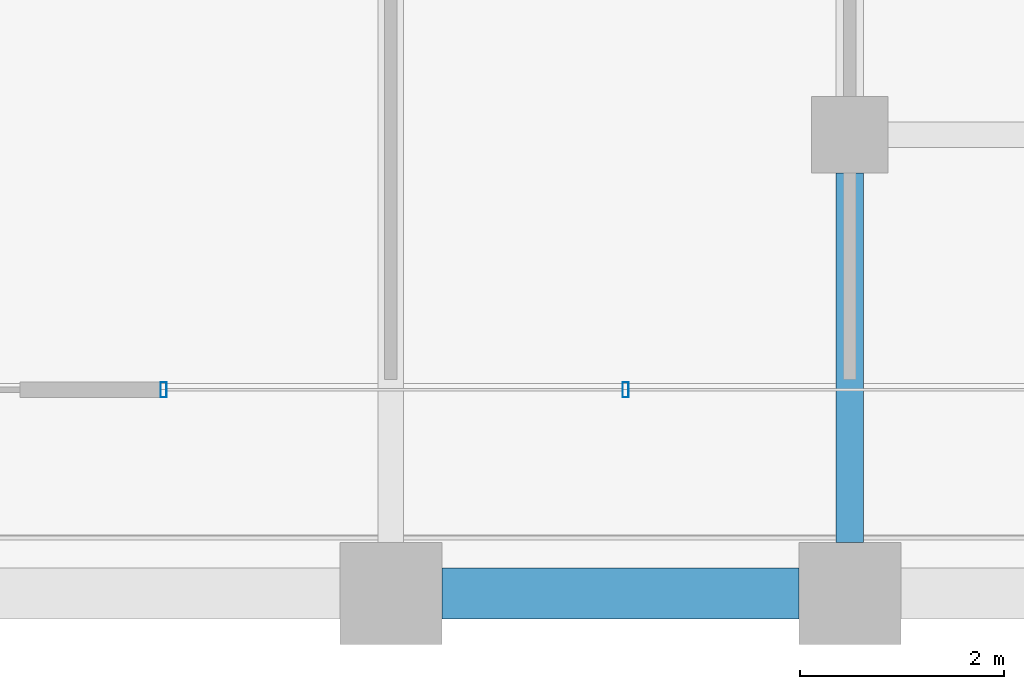
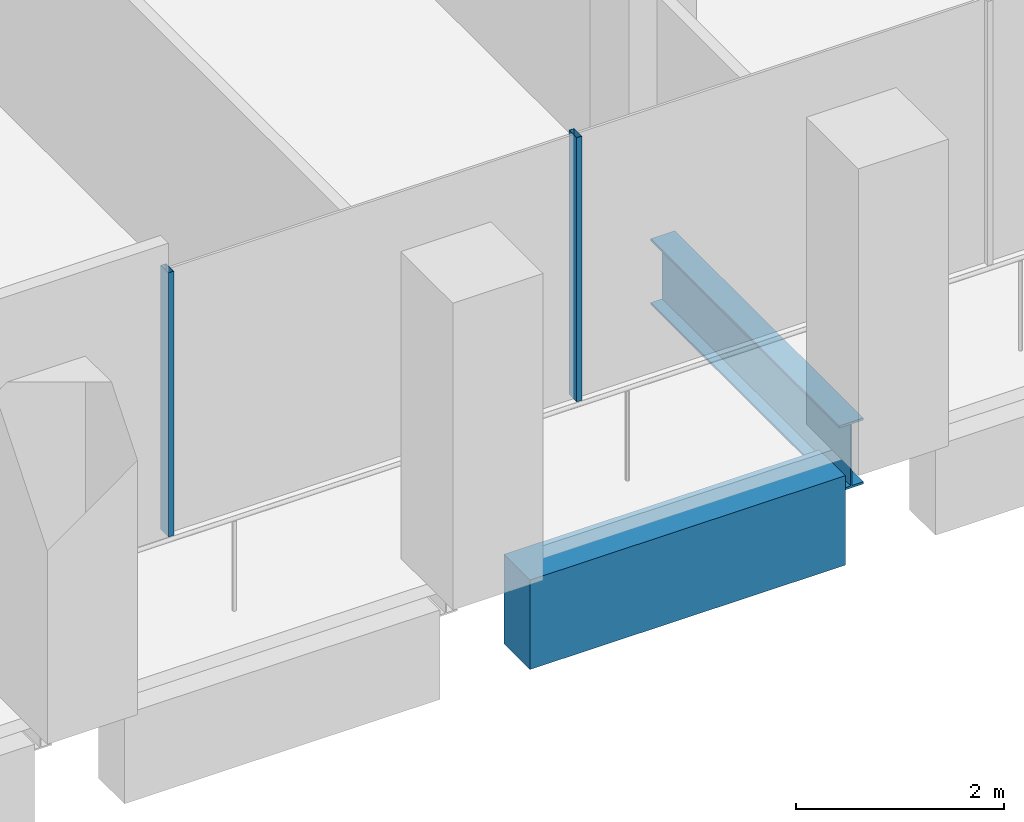
# One storey, part 9 of 46: 2 beams, 2 members, 1 element without a shape of its own.
"""IFC4 building model written with IfcOpenShell, lengths in metres."""

from ifc_helpers import new_model, si_unit, direction, frame, origin, origin_2d, place, context, subcontext, project, spatial, rectangle, hollow_rectangle, i_section, extrude, material, material_profile, profile_set, type_object, element, aggregate, save


model = new_model("IFC4")

# Units and contexts
model_context = context("Model", 3, precision=1e-05, world=origin(), true_north=direction((0.0, 1.0)))
body_context = subcontext(model_context, "Body", "Model", "MODEL_VIEW")
ifc_project = project(units=[si_unit("LENGTHUNIT", "METRE"), si_unit("AREAUNIT", "SQUARE_METRE"), si_unit("VOLUMEUNIT", "CUBIC_METRE"), si_unit("PLANEANGLEUNIT", "RADIAN"), si_unit("MASSUNIT", "GRAM", prefix="KILO")], contexts=[model_context])

# Site, building, storey
site_placement = place(None, origin())
site = spatial("IfcSite", under=ifc_project, at=site_placement, CompositionType="ELEMENT")
building_placement = place(site_placement, origin())
building = spatial("IfcBuilding", under=site, at=building_placement, Name="Altepetl Exchange Towers", CompositionType="ELEMENT")
storey_placement = place(building_placement, frame((0.0, 0.0, 102.800048828125)))
storey = spatial("IfcBuildingStorey", under=building, at=storey_placement, Name="L25", CompositionType="ELEMENT", Elevation=102.800048828125)

# Beam
ifc_material_1 = material(Name="Steel S355", Category="steel")
ifc_material_profile_1 = material_profile(ifc_material_1, i_section(OverallWidth=0.26806640625, OverallDepth=0.77392578125, WebThickness=0.015380859375, FlangeThickness=0.025390625, at=origin_2d()), Name="W30X132")
ifc_profile_set_1 = profile_set([ifc_material_profile_1], Name="Steel S355")
beam_type_1 = type_object("IfcBeamType", Name="Girder W30X132", PredefinedType="BEAM", material=ifc_profile_set_1)
beam_1_placement = place(storey_placement, frame((58.5, 31.125, -0.537109375), z_axis=(0.0, -1.0, 0.0), x_axis=(1.0, 0.0, 0.0)))
element("IfcBeam", 1, at=beam_1_placement, inside=storey, type_object=beam_type_1, Name="gd:A:L25:005", PredefinedType="BEAM", context=body_context, shape_type="SweptSolid", body=[
    extrude(i_section(OverallWidth=0.26806640625, OverallDepth=0.77392578125, WebThickness=0.015380859375, FlangeThickness=0.025390625, at=origin_2d()), origin(), (0.0, 0.0, 1.0), 3.625),
])

# Curtain wall, members
ifc_material_2 = material(Name="Aluminium 6063-T6 glazing", Category="aluminium")
curtain_wall_type = type_object("IfcCurtainWallType", Name="Loggia glazing system", PredefinedType="NOTDEFINED", material=ifc_material_2)
curtain_wall_placement = place(storey_placement, origin())
curtain_wall = element("IfcCurtainWall", 2, at=curtain_wall_placement, inside=storey, type_object=curtain_wall_type, Name="CW1 run", PredefinedType="NOTDEFINED")
ifc_material_3 = material(Name="Aluminium 6063-T6", Category="aluminium")
ifc_material_profile_2 = material_profile(ifc_material_3, hollow_rectangle(XDim=0.06005859375, YDim=0.14990234375, WallThickness=0.0029296875, at=origin_2d()), Name="Mullion 60x150 aluminium")
ifc_profile_set_2 = profile_set([ifc_material_profile_2], Name="Aluminium 6063-T6")
member_type = type_object("IfcMemberType", Name="Mullion 60x150 aluminium", PredefinedType="MULLION", material=ifc_profile_set_2)
member_1_placement = place(storey_placement, frame((51.77294921875, 29.0, 0.0)))
member_1 = element("IfcMember", 3, at=member_1_placement, type_object=member_type, Name="MU1 mullion", PredefinedType="MULLION", context=body_context, shape_type="SweptSolid", body=[
    extrude(hollow_rectangle(XDim=0.06005859375, YDim=0.14990234375, WallThickness=0.0029296875, at=origin_2d()), origin(), (0.0, 0.0, 1.0), 3.099853515625),
])
member_2_placement = place(storey_placement, frame((56.303466796875, 29.0, 0.0)))
member_2 = element("IfcMember", 4, at=member_2_placement, type_object=member_type, Name="MU1 mullion", PredefinedType="MULLION", context=body_context, shape_type="SweptSolid", body=[
    extrude(hollow_rectangle(XDim=0.06005859375, YDim=0.14990234375, WallThickness=0.0029296875, at=origin_2d()), origin(), (0.0, 0.0, 1.0), 3.099853515625),
])
aggregate(curtain_wall, [member_1, member_2])

# Beam
ifc_material_4 = material(Name="Concrete C50/60 precast with cantera blanca facing", Category="concrete")
ifc_material_profile_3 = material_profile(ifc_material_4, rectangle(XDim=0.5, YDim=1.050048828125, at=origin_2d()), Name="500 x 1050")
ifc_profile_set_3 = profile_set([ifc_material_profile_3], Name="Concrete C50/60 precast with cantera blanca facing")
beam_type_2 = type_object("IfcBeamType", Name="Spandrel beam 500x1050 cantera blanca", PredefinedType="SPANDREL", material=ifc_profile_set_3)
beam_2_placement = place(storey_placement, frame((54.5, 27.0, -0.675048828125), z_axis=(1.0, 0.0, 0.0), x_axis=(0.0, 1.0, 0.0)))
element("IfcBeam", 5, at=beam_2_placement, inside=storey, type_object=beam_type_2, Name="sp:A:L25:005", PredefinedType="SPANDREL", context=body_context, shape_type="SweptSolid", body=[
    extrude(rectangle(XDim=0.5, YDim=1.050048828125, at=origin_2d()), origin(), (0.0, 0.0, 1.0), 3.5),
])

save(model, "model.ifc")
